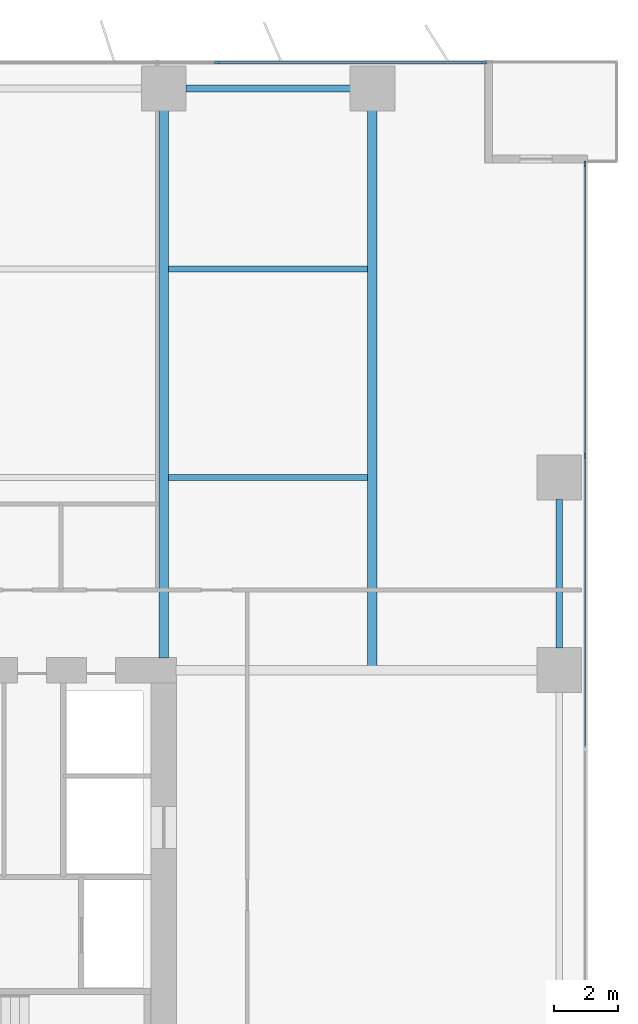
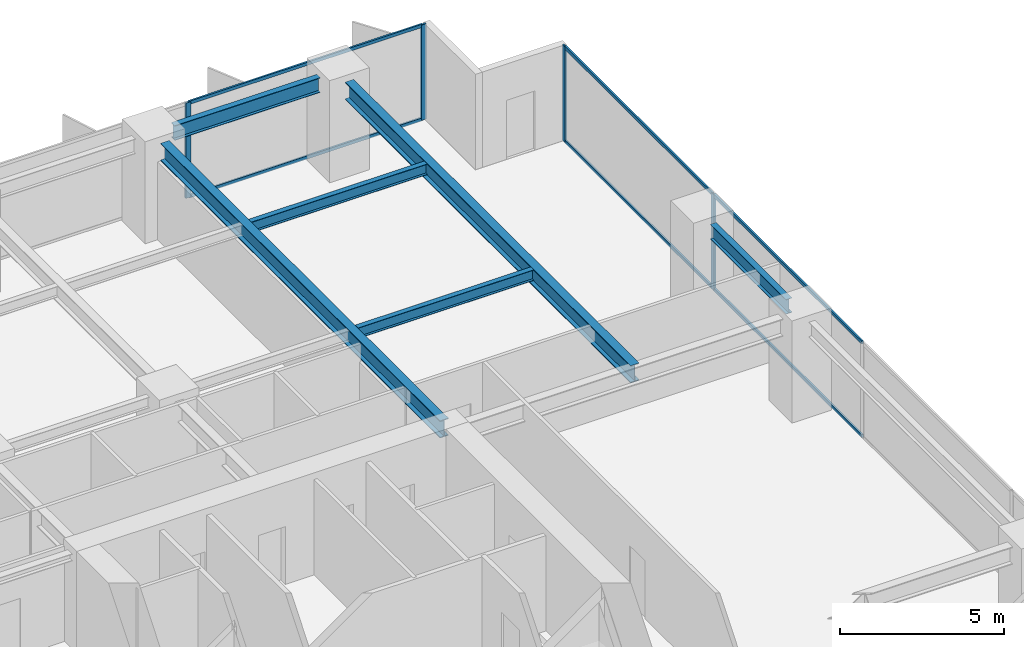
# One storey, part 11 of 20: 10 members, 6 beams, 2 elements without a shape of their own.
"""IFC4 building model written with IfcOpenShell, lengths in metres."""

import ifcopenshell
import ifcopenshell.guid

model = None  # the IFC model being written
_history = None  # IfcOwnerHistory: only IFC2X3 demands one
_inside = {}  # id of a spatial element -> (the spatial element, [elements in it])
_under = {}  # id of a project, library or spatial element -> (it, [spatial elements below it])
_declared = {}  # id of a project -> (the project, [libraries it declares])
_typed = {}  # id of a type object -> (the type object, [elements of that type])
_made_of = {}  # id of a material, layer set ... -> (it, [elements and type objects made of it])


def new_model(schema):
    """Start an empty IFC model of exactly this schema.

    Asked for "IFC4X3", IfcOpenShell would pick the latest addendum, in which some entities
    have other attributes; the version numbers below select the first issue.
    IFC2X3 requires an IfcOwnerHistory on every rooted entity: one is made here for all.
    """
    global model, _history
    if schema == "IFC4X3":
        model = ifcopenshell.file(schema_version=(4, 3, 0, 0))
    else:
        model = ifcopenshell.file(schema=schema)
    _inside.clear()
    _under.clear()
    _declared.clear()
    _typed.clear()
    _made_of.clear()
    _history = None
    if model.schema == "IFC2X3":
        org = make("IfcOrganization", Name="unknown")
        user = make(
            "IfcPersonAndOrganization",
            ThePerson=make("IfcPerson", FamilyName="unknown"),
            TheOrganization=org,
        )
        app = make(
            "IfcApplication",
            ApplicationDeveloper=org,
            Version="unknown",
            ApplicationFullName="unknown",
            ApplicationIdentifier="unknown",
        )
        _history = make(
            "IfcOwnerHistory",
            OwningUser=user,
            OwningApplication=app,
            ChangeAction="ADDED",
            CreationDate=0,
        )
    return model


def make(cls, **values):
    """One entity of the class cls with the attributes given. An attribute that is None is left unset."""
    return model.create_entity(
        cls, **{name: value for name, value in values.items() if value is not None}
    )


def rooted(cls, **values):
    """An entity with a GlobalId (a new one), such as an element, a storey or a relation."""
    return make(cls, GlobalId=ifcopenshell.guid.new(), OwnerHistory=_history, **values)


def si_unit(unit_type, name, prefix=None):
    """IfcSIUnit, for example si_unit("LENGTHUNIT", "METRE", prefix="MILLI")."""
    return make("IfcSIUnit", UnitType=unit_type, Prefix=prefix, Name=name)


def assignment(units):
    """IfcUnitAssignment: the units of a project."""
    return None if units is None else make("IfcUnitAssignment", Units=units)


def point(xyz):
    """IfcCartesianPoint."""
    return None if xyz is None else make("IfcCartesianPoint", Coordinates=xyz)


def direction(xyz):
    """IfcDirection."""
    return None if xyz is None else make("IfcDirection", DirectionRatios=xyz)


def frame(location, z_axis=None, x_axis=None):
    """IfcAxis2Placement3D, a coordinate frame: its origin and axes. An axis left out is left unset."""
    return make(
        "IfcAxis2Placement3D",
        Location=point(location),
        Axis=direction(z_axis),
        RefDirection=direction(x_axis),
    )


def frame_2d(location, x_axis=None):
    """IfcAxis2Placement2D, a coordinate frame in the plane: its origin and x axis."""
    return make(
        "IfcAxis2Placement2D", Location=point(location), RefDirection=direction(x_axis)
    )


def origin():
    """The frame at (0, 0, 0) with its axes left unset."""
    return frame((0.0, 0.0, 0.0))


def origin_2d():
    """The frame at (0, 0) in the plane with its x axis left unset."""
    return frame_2d((0.0, 0.0))


def place(relative_to, where):
    """IfcLocalPlacement: puts the frame where relative to a parent placement (None: the world)."""
    return make(
        "IfcLocalPlacement", PlacementRelTo=relative_to, RelativePlacement=where
    )


def context(
    kind, dimensions, precision=None, world=None, true_north=None, identifier=None
):
    """IfcGeometricRepresentationContext, for example the 3D "Model" context."""
    return make(
        "IfcGeometricRepresentationContext",
        ContextIdentifier=identifier,
        ContextType=kind,
        CoordinateSpaceDimension=dimensions,
        Precision=precision,
        WorldCoordinateSystem=world,
        TrueNorth=true_north,
    )


def subcontext(parent, identifier, kind, view, scale=None):
    """IfcGeometricRepresentationSubContext, for example "Body" below "Model"."""
    return make(
        "IfcGeometricRepresentationSubContext",
        ContextIdentifier=identifier,
        ContextType=kind,
        ParentContext=parent,
        TargetScale=scale,
        TargetView=view,
    )


def project(units=None, contexts=None):
    """IfcProject with its units and contexts."""
    return rooted(
        "IfcProject",
        Name="project",
        RepresentationContexts=contexts,
        UnitsInContext=assignment(units),
    )


def spatial(cls, under=None, at=None, **own):
    """A site, building, storey or space (cls), placed at a placement, below another one or the project."""
    s = rooted(cls, ObjectPlacement=at, **own)
    if under is not None:
        _under.setdefault(under.id(), (under, []))[1].append(s)
    return s


def profile(cls, at=None, kind="AREA", **sizes):
    """A parametric profile (cls). Its sizes go by their IFC names, for example OverallWidth=200.0."""
    return make(cls, ProfileType=kind, Position=at, **sizes)


def rectangle(**sizes):
    """IfcRectangleProfileDef."""
    return profile("IfcRectangleProfileDef", **sizes)


def i_section(**sizes):
    """IfcIShapeProfileDef."""
    return profile("IfcIShapeProfileDef", **sizes)


def extrude(swept, where, along, depth):
    """IfcExtrudedAreaSolid: the profile swept, set in the frame where, extruded along a direction by depth."""
    return make(
        "IfcExtrudedAreaSolid",
        SweptArea=swept,
        Position=where,
        ExtrudedDirection=direction(along),
        Depth=depth,
    )


def shape(context_of_items, identifier, shape_type, items):
    """IfcShapeRepresentation: the items that make up one representation, for example the "Body"."""
    return make(
        "IfcShapeRepresentation",
        ContextOfItems=context_of_items,
        RepresentationIdentifier=identifier,
        RepresentationType=shape_type,
        Items=items,
    )


def material(Name=None, Category=None):
    """IfcMaterial."""
    return make("IfcMaterial", Name=Name, Category=Category)


def layer(
    of_material, thickness, ventilated=None, Name=None, Category=None, Priority=None
):
    """IfcMaterialLayer: one layer of a wall or slab, of a material (None: an air gap)."""
    return make(
        "IfcMaterialLayer",
        Material=of_material,
        LayerThickness=thickness,
        IsVentilated=ventilated,
        Name=Name,
        Category=Category,
        Priority=Priority,
    )


def layer_set(layers, Name=None):
    """IfcMaterialLayerSet."""
    return make("IfcMaterialLayerSet", MaterialLayers=layers, LayerSetName=Name)


def material_profile(
    of_material, cross_section, Name=None, Category=None, Priority=None
):
    """IfcMaterialProfile: a cross section and its material."""
    return make(
        "IfcMaterialProfile",
        Name=Name,
        Material=of_material,
        Profile=cross_section,
        Priority=Priority,
        Category=Category,
    )


def profile_set(profiles, Name=None, composite=None):
    """IfcMaterialProfileSet."""
    return make(
        "IfcMaterialProfileSet",
        Name=Name,
        MaterialProfiles=profiles,
        CompositeProfile=composite,
    )


def made_of(thing, what):
    """Note that an element or type object is made of a material, layer set ...; save() writes the relation."""
    if what is not None:
        _made_of.setdefault(what.id(), (what, []))[1].append(thing)
    return thing


def type_object(cls, material=None, **own):
    """A type object (cls), such as IfcWallType, which elements share."""
    return made_of(rooted(cls, **own), material)


def element(
    cls,
    number,
    at=None,
    inside=None,
    cuts=None,
    type_object=None,
    material=None,
    context=None,
    identifier="Body",
    shape_type=None,
    held_by="IfcProductDefinitionShape",
    body=None,
    shapes=None,
    **own,
):
    """One element of the class cls, such as IfcWall. Its Tag is "e" and its number.

    at: its placement. inside: the storey or other place that contains it. cuts: it is an
    opening in that element (IfcRelVoidsElement). A single representation is given by context,
    identifier, shape_type and body (its items); several are given by shapes. held_by: the class
    of the entity that holds the representations. save() writes the other relations.
    """
    e = rooted(cls, Tag="e%d" % number, ObjectPlacement=at, **own)
    if body is not None:
        shapes = [shape(context, identifier, shape_type, body)]
    if shapes is not None:
        e.Representation = make(held_by, Representations=shapes)
    if inside is not None:
        _inside.setdefault(inside.id(), (inside, []))[1].append(e)
    if cuts is not None:
        rooted(
            "IfcRelVoidsElement", RelatingBuildingElement=cuts, RelatedOpeningElement=e
        )
    if type_object is not None:
        _typed.setdefault(type_object.id(), (type_object, []))[1].append(e)
    return made_of(e, material)


def aggregate(whole, parts):
    """IfcRelAggregates: a whole, such as a stair, and the parts it consists of."""
    return rooted("IfcRelAggregates", RelatingObject=whole, RelatedObjects=parts)


def save(model, path):
    """Write the relations noted so far, then the file.

    IfcRelAggregates (storeys below a building ...), IfcRelContainedInSpatialStructure (elements
    in a storey), IfcRelDefinesByType, IfcRelAssociatesMaterial and IfcRelDeclares: one each for
    every whole, place, type object, material and project.
    """
    for whole, parts in _under.values():
        aggregate(whole, parts)
    for where, things in _inside.values():
        rooted(
            "IfcRelContainedInSpatialStructure",
            RelatedElements=things,
            RelatingStructure=where,
        )
    for kind, things in _typed.values():
        rooted("IfcRelDefinesByType", RelatedObjects=things, RelatingType=kind)
    for what, things in _made_of.values():
        rooted("IfcRelAssociatesMaterial", RelatedObjects=things, RelatingMaterial=what)
    for by, libraries in _declared.values():
        rooted("IfcRelDeclares", RelatingContext=by, RelatedDefinitions=libraries)
    model.write(path)


model = new_model("IFC4")

# Units and contexts
model_context = context("Model", 3, precision=1e-05, world=origin(), true_north=direction((0.0, 1.0)))
body_context = subcontext(model_context, "Body", "Model", "MODEL_VIEW")
ifc_project = project(units=[si_unit("LENGTHUNIT", "METRE"), si_unit("AREAUNIT", "SQUARE_METRE"), si_unit("VOLUMEUNIT", "CUBIC_METRE"), si_unit("PLANEANGLEUNIT", "RADIAN"), si_unit("MASSUNIT", "GRAM", prefix="KILO")], contexts=[model_context])

# Site, building, storey
site_placement = place(None, origin())
site = spatial("IfcSite", under=ifc_project, at=site_placement, CompositionType="ELEMENT")
building_placement = place(site_placement, origin())
building = spatial("IfcBuilding", under=site, at=building_placement, Name="Putna Gate Headquarters", CompositionType="ELEMENT")
storey_placement = place(building_placement, frame((0.0, 0.0, 58.199951171875)))
storey = spatial("IfcBuildingStorey", under=building, at=storey_placement, Name="L13", CompositionType="ELEMENT", Elevation=58.199951171875)

# Beams
ifc_material_1 = material(Name="Steel S355J2", Category="steel")
ifc_material_profile_1 = material_profile(ifc_material_1, i_section(OverallWidth=0.300048828125, OverallDepth=0.64990234375, WebThickness=0.01611328125, FlangeThickness=0.031005859375, at=origin_2d()), Name="Steel S355J2")
ifc_profile_set_1 = profile_set([ifc_material_profile_1], Name="Steel S355J2")
beam_type_1 = type_object("IfcBeamType", Name="BM-GIRD-Z1-HEB650", PredefinedType="USERDEFINED", material=ifc_profile_set_1)
beam_1_placement = place(storey_placement, frame((65.0, 33.385009765625, 3.22509765625), z_axis=(0.0, 1.0, 0.0), x_axis=(-1.0, 0.0, 0.0)))
element("IfcBeam", 1, at=beam_1_placement, inside=storey, type_object=beam_type_1, Name="L13 North Primary Girder X65", ObjectType="GIRDER", PredefinedType="USERDEFINED", context=body_context, shape_type="SweptSolid", body=[
    extrude(i_section(OverallWidth=0.300048828125, OverallDepth=0.64990234375, WebThickness=0.01611328125, FlangeThickness=0.031005859375, at=origin_2d()), origin(), (0.0, 0.0, 1.0), 17.046875),
])
beam_2_placement = place(storey_placement, frame((71.5, 33.011962890625, 3.22509765625), z_axis=(0.0, 1.0, 0.0), x_axis=(-1.0, 0.0, 0.0)))
element("IfcBeam", 2, at=beam_2_placement, inside=storey, type_object=beam_type_1, Name="L13 North Primary Girder X71", ObjectType="GIRDER", PredefinedType="USERDEFINED", context=body_context, shape_type="SweptSolid", body=[
    extrude(i_section(OverallWidth=0.300048828125, OverallDepth=0.64990234375, WebThickness=0.01611328125, FlangeThickness=0.031005859375, at=origin_2d()), origin(), (0.0, 0.0, 1.0), 17.419921875),
])
ifc_material_profile_2 = material_profile(ifc_material_1, i_section(OverallWidth=0.179931640625, OverallDepth=0.39990234375, WebThickness=0.008544921875, FlangeThickness=0.013427734375, at=origin_2d()), Name="Steel S355J2")
ifc_profile_set_2 = profile_set([ifc_material_profile_2], Name="Steel S355J2")
beam_type_2 = type_object("IfcBeamType", Name="BM-SEC-Z1-IPE400", PredefinedType="BEAM", material=ifc_profile_set_2)
for number, where, z_axis, x_axis, name in (
    (3, (65.154052734375, 39.0, 3.35009765625), (1.0, 0.0, 0.0), (0.0, 1.0, 0.0), "L13 North Secondary Beam 10"),
    (4, (65.154052734375, 45.5, 3.35009765625), (1.0, 0.0, 0.0), (0.0, 1.0, 0.0), "L13 North Secondary Beam 10"),
):
    element("IfcBeam", number, at=place(storey_placement, frame(where, z_axis=z_axis, x_axis=x_axis)), inside=storey, type_object=beam_type_2, Name=name, PredefinedType="BEAM", context=body_context, shape_type="SweptSolid", body=[
        extrude(i_section(OverallWidth=0.179931640625, OverallDepth=0.39990234375, WebThickness=0.008544921875, FlangeThickness=0.013427734375, at=origin_2d()), origin(), (0.0, 0.0, 1.0), 6.19189453125),
    ])
ifc_material_profile_3 = material_profile(ifc_material_1, i_section(OverallWidth=0.2099609375, OverallDepth=0.550048828125, WebThickness=0.010986328125, FlangeThickness=0.01708984375, at=origin_2d()), Name="Steel S355J2")
ifc_profile_set_3 = profile_set([ifc_material_profile_3], Name="Steel S355J2")
beam_type_3 = type_object("IfcBeamType", Name="BM-SPAN-Z1-IPE550", PredefinedType="SPANDREL", material=ifc_profile_set_3)
beam_3_placement = place(storey_placement, frame((65.68798828125, 51.1201171875, 3.275146484375), z_axis=(1.0, 0.0, 0.0), x_axis=(0.0, 1.0, 0.0)))
element("IfcBeam", 5, at=beam_3_placement, inside=storey, type_object=beam_type_3, Name="L13 N Perimeter Spandrel 10", PredefinedType="SPANDREL", context=body_context, shape_type="SweptSolid", body=[
    extrude(i_section(OverallWidth=0.2099609375, OverallDepth=0.550048828125, WebThickness=0.010986328125, FlangeThickness=0.01708984375, at=origin_2d()), origin(), (0.0, 0.0, 1.0), 5.1240234375),
])
beam_4_placement = place(storey_placement, frame((77.320068359375, 33.68798828125, 3.275146484375), z_axis=(0.0, 1.0, 0.0), x_axis=(-1.0, 0.0, 0.0)))
element("IfcBeam", 6, at=beam_4_placement, inside=storey, type_object=beam_type_3, Name="L13 E End Spandrel 3", PredefinedType="SPANDREL", context=body_context, shape_type="SweptSolid", body=[
    extrude(i_section(OverallWidth=0.2099609375, OverallDepth=0.550048828125, WebThickness=0.010986328125, FlangeThickness=0.01708984375, at=origin_2d()), origin(), (0.0, 0.0, 1.0), 4.6240234375),
])

# Curtain wall, members
ifc_material_2 = material(Name="Anodised bronze aluminium curtain wall", Category="aluminium")
ifc_layer = layer(ifc_material_2, 0.179931640625)
ifc_layer_set = layer_set([ifc_layer], Name="Anodised bronze aluminium curtain wall")
curtain_wall_type = type_object("IfcCurtainWallType", Name="CW-SYS-Z1", PredefinedType="USERDEFINED", material=ifc_layer_set)
curtain_wall_1_placement = place(storey_placement, origin())
curtain_wall_1 = element("IfcCurtainWall", 7, at=curtain_wall_1_placement, inside=storey, type_object=curtain_wall_type, Name="L13 North East Curtain Wall", ObjectType="STICK CURTAIN WALL", PredefinedType="USERDEFINED")
ifc_material_3 = material(Name="Anodised bronze aluminium EN AW-6060", Category="aluminium")
ifc_material_profile_4 = material_profile(ifc_material_3, rectangle(XDim=0.070068359375, YDim=0.179931640625, at=origin_2d()), Name="Anodised bronze aluminium EN AW-6060")
ifc_profile_set_4 = profile_set([ifc_material_profile_4], Name="Anodised bronze aluminium EN AW-6060")
member_type_1 = type_object("IfcMemberType", Name="MULL-CWM-1", PredefinedType="MULLION", material=ifc_profile_set_4)
member_1_placement = place(storey_placement, frame((66.666748046875, 51.919921875, 0.0), z_axis=(0.0, 0.0, 1.0), x_axis=(0.0, 1.0, 0.0)))
member_1 = element("IfcMember", 8, at=member_1_placement, type_object=member_type_1, Name="CWS-1 mullion 3", PredefinedType="MULLION", context=body_context, shape_type="SweptSolid", body=[
    extrude(rectangle(XDim=0.070068359375, YDim=0.179931640625, at=origin_2d()), origin(), (0.0, 0.0, 1.0), 3.550048828125),
])
member_2_placement = place(storey_placement, frame((74.965087890625, 51.919921875, 0.0), z_axis=(0.0, 0.0, 1.0), x_axis=(0.0, 1.0, 0.0)))
member_2 = element("IfcMember", 9, at=member_2_placement, type_object=member_type_1, Name="CWS-1 mullion 4", PredefinedType="MULLION", context=body_context, shape_type="SweptSolid", body=[
    extrude(rectangle(XDim=0.070068359375, YDim=0.179931640625, at=origin_2d()), origin(), (0.0, 0.0, 1.0), 3.550048828125),
])

curtain_wall_2_placement = place(storey_placement, origin())
curtain_wall_2 = element("IfcCurtainWall", 10, at=curtain_wall_2_placement, inside=storey, type_object=curtain_wall_type, Name="L13 East Curtain Wall", ObjectType="STICK CURTAIN WALL", PredefinedType="USERDEFINED")
member_3_placement = place(storey_placement, frame((78.1201171875, 39.679931640625, 0.0), z_axis=(0.0, 0.0, 1.0), x_axis=(-1.0, 0.0, 0.0)))
member_3 = element("IfcMember", 11, at=member_3_placement, type_object=member_type_1, Name="CWS-1 mullion 5", PredefinedType="MULLION", context=body_context, shape_type="SweptSolid", body=[
    extrude(rectangle(XDim=0.070068359375, YDim=0.179931640625, at=origin_2d()), origin(), (0.0, 0.0, 1.0), 3.550048828125),
])
member_4_placement = place(storey_placement, frame((78.1201171875, 48.764892578125, 0.0), z_axis=(0.0, 0.0, 1.0), x_axis=(-1.0, 0.0, 0.0)))
member_4 = element("IfcMember", 12, at=member_4_placement, type_object=member_type_1, Name="CWS-1 mullion 6", PredefinedType="MULLION", context=body_context, shape_type="SweptSolid", body=[
    extrude(rectangle(XDim=0.070068359375, YDim=0.179931640625, at=origin_2d()), origin(), (0.0, 0.0, 1.0), 3.550048828125),
])

# Member
ifc_material_profile_5 = material_profile(ifc_material_3, rectangle(XDim=0.06494140625, YDim=0.1201171875, at=origin_2d()), Name="Anodised bronze aluminium EN AW-6060")
ifc_profile_set_5 = profile_set([ifc_material_profile_5], Name="Anodised bronze aluminium EN AW-6060")
member_type_2 = type_object("IfcMemberType", Name="TRAN-CWT-1", PredefinedType="USERDEFINED", material=ifc_profile_set_5)
member_5_placement = place(storey_placement, frame((66.70166015625, 51.919921875, 0.032470703125), z_axis=(1.0, 0.0, 0.0), x_axis=(0.0, 1.0, 0.0)))
member_5 = element("IfcMember", 13, at=member_5_placement, type_object=member_type_2, Name="CWS-1 transom 3.1", ObjectType="TRANSOM", PredefinedType="USERDEFINED", context=body_context, shape_type="SweptSolid", body=[
    extrude(rectangle(XDim=0.06494140625, YDim=0.1201171875, at=origin_2d()), origin(), (0.0, 0.0, 1.0), 8.228271484375),
])

member_6_placement = place(storey_placement, frame((66.70166015625, 51.919921875, 3.517578125), z_axis=(1.0, 0.0, 0.0), x_axis=(0.0, 1.0, 0.0)))
member_6 = element("IfcMember", 14, at=member_6_placement, type_object=member_type_2, Name="CWS-1 transom 3.2", ObjectType="TRANSOM", PredefinedType="USERDEFINED", context=body_context, shape_type="SweptSolid", body=[
    extrude(rectangle(XDim=0.06494140625, YDim=0.1201171875, at=origin_2d()), origin(), (0.0, 0.0, 1.0), 8.228271484375),
])

aggregate(curtain_wall_1, [member_1, member_2, member_5, member_6])

member_7_placement = place(storey_placement, frame((78.1201171875, 30.594970703125, 0.032470703125), z_axis=(0.0, 1.0, 0.0), x_axis=(-1.0, 0.0, 0.0)))
member_7 = element("IfcMember", 15, at=member_7_placement, type_object=member_type_2, Name="CWS-1 transom 4.1", ObjectType="TRANSOM", PredefinedType="USERDEFINED", context=body_context, shape_type="SweptSolid", body=[
    extrude(rectangle(XDim=0.06494140625, YDim=0.1201171875, at=origin_2d()), origin(), (0.0, 0.0, 1.0), 9.050048828125),
])

member_8_placement = place(storey_placement, frame((78.1201171875, 30.594970703125, 3.517578125), z_axis=(0.0, 1.0, 0.0), x_axis=(-1.0, 0.0, 0.0)))
member_8 = element("IfcMember", 16, at=member_8_placement, type_object=member_type_2, Name="CWS-1 transom 4.2", ObjectType="TRANSOM", PredefinedType="USERDEFINED", context=body_context, shape_type="SweptSolid", body=[
    extrude(rectangle(XDim=0.06494140625, YDim=0.1201171875, at=origin_2d()), origin(), (0.0, 0.0, 1.0), 9.050048828125),
])

member_9_placement = place(storey_placement, frame((78.1201171875, 39.715087890625, 0.032470703125), z_axis=(0.0, 1.0, 0.0), x_axis=(-1.0, 0.0, 0.0)))
member_9 = element("IfcMember", 17, at=member_9_placement, type_object=member_type_2, Name="CWS-1 transom 5.1", ObjectType="TRANSOM", PredefinedType="USERDEFINED", context=body_context, shape_type="SweptSolid", body=[
    extrude(rectangle(XDim=0.06494140625, YDim=0.1201171875, at=origin_2d()), origin(), (0.0, 0.0, 1.0), 9.014892578125),
])

member_10_placement = place(storey_placement, frame((78.1201171875, 39.715087890625, 3.517578125), z_axis=(0.0, 1.0, 0.0), x_axis=(-1.0, 0.0, 0.0)))
member_10 = element("IfcMember", 18, at=member_10_placement, type_object=member_type_2, Name="CWS-1 transom 5.2", ObjectType="TRANSOM", PredefinedType="USERDEFINED", context=body_context, shape_type="SweptSolid", body=[
    extrude(rectangle(XDim=0.06494140625, YDim=0.1201171875, at=origin_2d()), origin(), (0.0, 0.0, 1.0), 9.014892578125),
])

aggregate(curtain_wall_2, [member_3, member_4, member_7, member_8, member_9, member_10])

save(model, "model.ifc")
